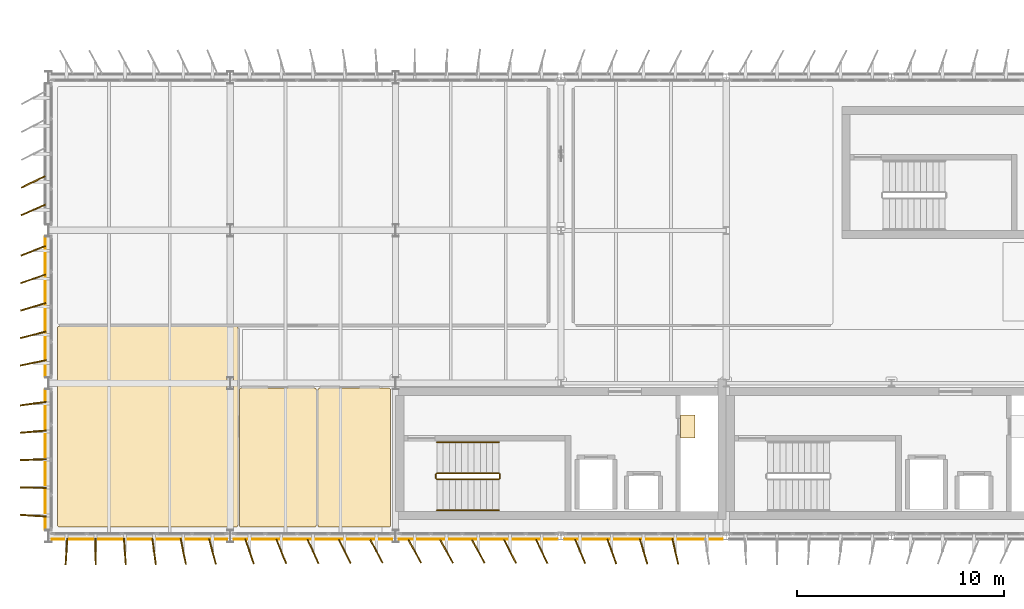
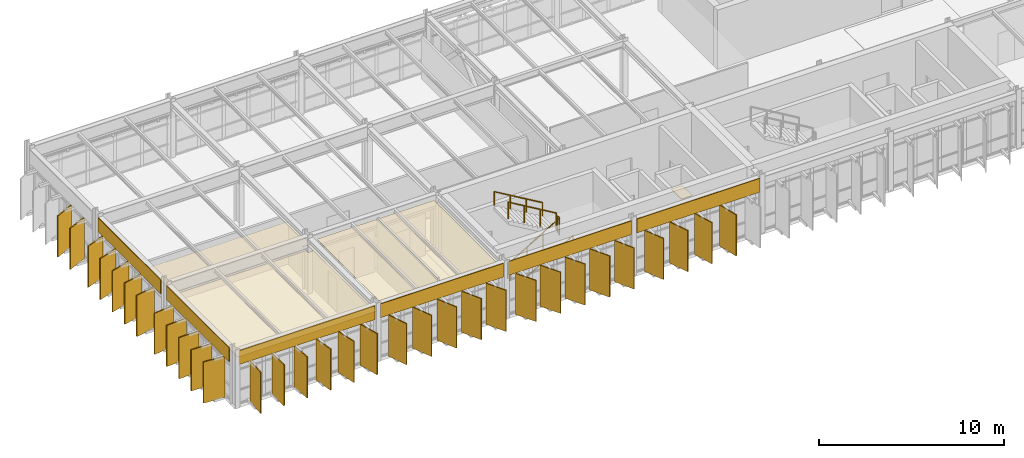
# One storey, part 38 of 45: 42 coverings, 6 railings.
"""IFC4 building model written with IfcOpenShell, lengths in metres."""

from ifc_helpers import new_model, si_unit, direction, frame, frame_2d, origin, origin_2d, place, context, subcontext, project, spatial, polyline, rectangle, circle, outline, extrude, material, layer, layer_set, type_object, element, save


model = new_model("IFC4")

# Units and contexts
model_context = context("Model", 3, precision=1e-05, world=origin(), true_north=direction((0.0, 1.0)))
body_context = subcontext(model_context, "Body", "Model", "MODEL_VIEW")
ifc_project = project(units=[si_unit("LENGTHUNIT", "METRE"), si_unit("AREAUNIT", "SQUARE_METRE"), si_unit("VOLUMEUNIT", "CUBIC_METRE"), si_unit("PLANEANGLEUNIT", "RADIAN"), si_unit("MASSUNIT", "GRAM", prefix="KILO")], contexts=[model_context])

# Site, building, storey
site_placement = place(None, origin())
site = spatial("IfcSite", under=ifc_project, at=site_placement, CompositionType="ELEMENT")
building_placement = place(site_placement, origin())
building = spatial("IfcBuilding", under=site, at=building_placement, Name="Valkorina Park Police Headquarters", CompositionType="ELEMENT")
storey_placement = place(building_placement, frame((0.0, 0.0, 23.300048828125)))
storey = spatial("IfcBuildingStorey", under=building, at=storey_placement, Name="L06", CompositionType="ELEMENT", Elevation=23.300048828125)

# Coverings
ifc_material_1 = material(Name="Acoustic mineral board")
ifc_layer_1 = layer(ifc_material_1, 0.02490234375)
ifc_layer_set_1 = layer_set([ifc_layer_1], Name="Acoustic mineral board")
covering_type_1 = type_object("IfcCoveringType", Name="COV-CEILING-ACOUST", PredefinedType="CEILING", material=ifc_layer_set_1)
covering_1_placement = place(storey_placement, frame((0.0, 0.0, 2.7548828125)))
element("IfcCovering", 1, at=covering_1_placement, inside=storey, type_object=covering_type_1, Name="Cold-Case Detective Analysis Room Acoustic Suspended Ceiling", PredefinedType="CEILING", context=body_context, shape_type="SweptSolid", body=[
    extrude(outline(polyline([(9.095703125, 47.158447265625), (9.087890625, 47.15966796875), (9.080078125, 47.159912109375), (0.52001953125, 47.159912109375), (0.51220703125, 47.15966796875), (0.50439453125, 47.158447265625), (0.496826171875, 47.156494140625), (0.489501953125, 47.15380859375), (0.482421875, 47.150634765625), (0.4755859375, 47.146484375), (0.46923828125, 47.141845703125), (0.46337890625, 47.13671875), (0.458251953125, 47.130859375), (0.45361328125, 47.12451171875), (0.449462890625, 47.11767578125), (0.446044921875, 47.110595703125), (0.443359375, 47.103271484375), (0.44140625, 47.095703125), (0.4404296875, 47.087890625), (0.43994140625, 47.080078125), (0.43994140625, 37.52001953125), (0.4404296875, 37.51220703125), (0.44140625, 37.50439453125), (0.443359375, 37.496826171875), (0.446044921875, 37.489501953125), (0.449462890625, 37.482421875), (0.45361328125, 37.4755859375), (0.458251953125, 37.46923828125), (0.46337890625, 37.46337890625), (0.46923828125, 37.458251953125), (0.4755859375, 37.45361328125), (0.482421875, 37.449462890625), (0.489501953125, 37.446044921875), (0.496826171875, 37.443359375), (0.50439453125, 37.44140625), (0.51220703125, 37.4404296875), (0.52001953125, 37.43994140625), (9.080078125, 37.43994140625), (9.087890625, 37.4404296875), (9.095703125, 37.44140625), (9.103271484375, 37.443359375), (9.110595703125, 37.446044921875), (9.11767578125, 37.449462890625), (9.12451171875, 37.45361328125), (9.130859375, 37.458251953125), (9.13671875, 37.46337890625), (9.141845703125, 37.46923828125), (9.146484375, 37.4755859375), (9.150634765625, 37.482421875), (9.15380859375, 37.489501953125), (9.156494140625, 37.496826171875), (9.158447265625, 37.50439453125), (9.15966796875, 37.51220703125), (9.159912109375, 37.52001953125), (9.159912109375, 47.080078125), (9.15966796875, 47.087890625), (9.158447265625, 47.095703125), (9.156494140625, 47.103271484375), (9.15380859375, 47.110595703125), (9.150634765625, 47.11767578125), (9.146484375, 47.12451171875), (9.141845703125, 47.130859375), (9.13671875, 47.13671875), (9.130859375, 47.141845703125), (9.12451171875, 47.146484375), (9.11767578125, 47.150634765625), (9.110595703125, 47.15380859375), (9.103271484375, 47.156494140625), (9.095703125, 47.158447265625)]), holes=[polyline([(8.64990234375, 44.699951171875), (8.949951171875, 44.699951171875), (8.949951171875, 44.10009765625), (8.64990234375, 44.10009765625), (8.64990234375, 44.699951171875)])]), origin(), (0.0, 0.0, 1.0), 0.025146484375),
])
covering_2_placement = place(storey_placement, frame((0.0, 0.0, 3.385009765625)))
element("IfcCovering", 2, at=covering_2_placement, inside=storey, type_object=covering_type_1, Name="L06 Male WC Acoustic Suspended Ceiling", PredefinedType="CEILING", context=body_context, shape_type="SweptSolid", body=[
    extrude(outline(polyline([(12.8955078125, 44.158447265625), (12.8876953125, 44.15966796875), (12.8798828125, 44.159912109375), (9.320068359375, 44.159912109375), (9.312255859375, 44.15966796875), (9.304443359375, 44.158447265625), (9.296875, 44.156494140625), (9.289306640625, 44.15380859375), (9.2822265625, 44.150634765625), (9.275634765625, 44.146484375), (9.269287109375, 44.141845703125), (9.263427734375, 44.13671875), (9.25830078125, 44.130859375), (9.25341796875, 44.12451171875), (9.24951171875, 44.11767578125), (9.24609375, 44.110595703125), (9.243408203125, 44.103271484375), (9.241455078125, 44.095703125), (9.240478515625, 44.087890625), (9.239990234375, 44.080078125), (9.239990234375, 37.52001953125), (9.240478515625, 37.51220703125), (9.241455078125, 37.50439453125), (9.243408203125, 37.496826171875), (9.24609375, 37.489501953125), (9.24951171875, 37.482421875), (9.25341796875, 37.4755859375), (9.25830078125, 37.46923828125), (9.263427734375, 37.46337890625), (9.269287109375, 37.458251953125), (9.275634765625, 37.45361328125), (9.2822265625, 37.449462890625), (9.289306640625, 37.446044921875), (9.296875, 37.443359375), (9.304443359375, 37.44140625), (9.312255859375, 37.4404296875), (9.320068359375, 37.43994140625), (12.8798828125, 37.43994140625), (12.8876953125, 37.4404296875), (12.8955078125, 37.44140625), (12.9033203125, 37.443359375), (12.91064453125, 37.446044921875), (12.917724609375, 37.449462890625), (12.92431640625, 37.45361328125), (12.930908203125, 37.458251953125), (12.9365234375, 37.46337890625), (12.94189453125, 37.46923828125), (12.946533203125, 37.4755859375), (12.95068359375, 37.482421875), (12.953857421875, 37.489501953125), (12.95654296875, 37.496826171875), (12.95849609375, 37.50439453125), (12.959716796875, 37.51220703125), (12.9599609375, 37.52001953125), (12.9599609375, 44.080078125), (12.959716796875, 44.087890625), (12.95849609375, 44.095703125), (12.95654296875, 44.103271484375), (12.953857421875, 44.110595703125), (12.95068359375, 44.11767578125), (12.946533203125, 44.12451171875), (12.94189453125, 44.130859375), (12.9365234375, 44.13671875), (12.930908203125, 44.141845703125), (12.92431640625, 44.146484375), (12.917724609375, 44.150634765625), (12.91064453125, 44.15380859375), (12.9033203125, 44.156494140625), (12.8955078125, 44.158447265625)])), origin(), (0.0, 0.0, 1.0), 0.02490234375),
])
covering_3_placement = place(storey_placement, frame((0.0, 0.0, 3.385009765625)))
element("IfcCovering", 3, at=covering_3_placement, inside=storey, type_object=covering_type_1, Name="L06 Female WC Acoustic Suspended Ceiling", PredefinedType="CEILING", context=body_context, shape_type="SweptSolid", body=[
    extrude(outline(polyline([(16.49560546875, 44.158447265625), (16.48779296875, 44.15966796875), (16.47998046875, 44.159912109375), (13.1201171875, 44.159912109375), (13.1123046875, 44.15966796875), (13.1044921875, 44.158447265625), (13.0966796875, 44.156494140625), (13.08935546875, 44.15380859375), (13.082275390625, 44.150634765625), (13.07568359375, 44.146484375), (13.069091796875, 44.141845703125), (13.0634765625, 44.13671875), (13.05810546875, 44.130859375), (13.053466796875, 44.12451171875), (13.04931640625, 44.11767578125), (13.046142578125, 44.110595703125), (13.04345703125, 44.103271484375), (13.04150390625, 44.095703125), (13.040283203125, 44.087890625), (13.0400390625, 44.080078125), (13.0400390625, 37.52001953125), (13.040283203125, 37.51220703125), (13.04150390625, 37.50439453125), (13.04345703125, 37.496826171875), (13.046142578125, 37.489501953125), (13.04931640625, 37.482421875), (13.053466796875, 37.4755859375), (13.05810546875, 37.46923828125), (13.0634765625, 37.46337890625), (13.069091796875, 37.458251953125), (13.07568359375, 37.45361328125), (13.082275390625, 37.449462890625), (13.08935546875, 37.446044921875), (13.0966796875, 37.443359375), (13.1044921875, 37.44140625), (13.1123046875, 37.4404296875), (13.1201171875, 37.43994140625), (16.47998046875, 37.43994140625), (16.48779296875, 37.4404296875), (16.49560546875, 37.44140625), (16.503173828125, 37.443359375), (16.510498046875, 37.446044921875), (16.517578125, 37.449462890625), (16.5244140625, 37.45361328125), (16.53076171875, 37.458251953125), (16.53662109375, 37.46337890625), (16.541748046875, 37.46923828125), (16.54638671875, 37.4755859375), (16.550537109375, 37.482421875), (16.553955078125, 37.489501953125), (16.556640625, 37.496826171875), (16.55859375, 37.50439453125), (16.5595703125, 37.51220703125), (16.56005859375, 37.52001953125), (16.56005859375, 44.080078125), (16.5595703125, 44.087890625), (16.55859375, 44.095703125), (16.556640625, 44.103271484375), (16.553955078125, 44.110595703125), (16.550537109375, 44.11767578125), (16.54638671875, 44.12451171875), (16.541748046875, 44.130859375), (16.53662109375, 44.13671875), (16.53076171875, 44.141845703125), (16.5244140625, 44.146484375), (16.517578125, 44.150634765625), (16.510498046875, 44.15380859375), (16.503173828125, 44.156494140625), (16.49560546875, 44.158447265625)])), origin(), (0.0, 0.0, 1.0), 0.02490234375),
])
ifc_material_2 = material(Name="Precast concrete C40/50", Category="concrete")
ifc_layer_2 = layer(ifc_material_2, 0.044921875)
ifc_layer_set_2 = layer_set([ifc_layer_2], Name="Precast concrete C40/50")
covering_type_2 = type_object("IfcCoveringType", Name="COV-CLAD-DOLOMITE", PredefinedType="CLADDING", material=ifc_layer_set_2)
for number, where, z_axis, x_axis, name in (
    (4, (-0.159912109375, 37.31005859375, 2.77001953125), (0.0, 0.0, 1.0), (0.0, 1.0, 0.0), "L06 Spandrel Beam Insulated Fascia 2474"),
    (5, (-0.159912109375, 44.7099609375, 2.77001953125), (0.0, 0.0, 1.0), (0.0, 1.0, 0.0), "L06 Spandrel Beam Insulated Fascia 2475"),
):
    element("IfcCovering", number, at=place(storey_placement, frame(where, z_axis=z_axis, x_axis=x_axis)), inside=storey, type_object=covering_type_2, Name=name, PredefinedType="CLADDING", context=body_context, shape_type="SweptSolid", body=[
        extrude(rectangle(XDim=6.780029296875, YDim=0.044921875, at=frame_2d((3.39013671875, 0.0))), origin(), (0.0, 0.0, 1.0), 0.909912109375),
    ])
for number, where, z_axis, x_axis, name in (
    (6, (32.639892578125, 36.840087890625, 2.77001953125), (0.0, 0.0, 1.0), (-1.0, 0.0, 0.0), "L06 Spandrel Beam Insulated Fascia 2548"),
    (7, (24.639892578125, 36.840087890625, 2.77001953125), (0.0, 0.0, 1.0), (-1.0, 0.0, 0.0), "L06 Spandrel Beam Insulated Fascia 2549"),
    (8, (16.639892578125, 36.840087890625, 2.77001953125), (0.0, 0.0, 1.0), (-1.0, 0.0, 0.0), "L06 Spandrel Beam Insulated Fascia 2550"),
):
    element("IfcCovering", number, at=place(storey_placement, frame(where, z_axis=z_axis, x_axis=x_axis)), inside=storey, type_object=covering_type_2, Name=name, PredefinedType="CLADDING", context=body_context, shape_type="SweptSolid", body=[
        extrude(rectangle(XDim=7.679931640625, YDim=0.044921875, at=frame_2d((3.83984375, 0.0))), origin(), (0.0, 0.0, 1.0), 0.909912109375),
    ])
covering_4_placement = place(storey_placement, frame((8.639892578125, 36.840087890625, 2.77001953125), z_axis=(0.0, 0.0, 1.0), x_axis=(-1.0, 0.0, 0.0)))
element("IfcCovering", 9, at=covering_4_placement, inside=storey, type_object=covering_type_2, Name="L06 Spandrel Beam Insulated Fascia 2551", PredefinedType="CLADDING", context=body_context, shape_type="SweptSolid", body=[
    extrude(rectangle(XDim=8.47998046875, YDim=0.044921875, at=frame_2d((4.239990234375, 0.0))), origin(), (0.0, 0.0, 1.0), 0.909912109375),
])
ifc_material_3 = material(Name="Resin terrazzo flooring")
ifc_layer_3 = layer(ifc_material_3, 0.030029296875)
ifc_layer_set_3 = layer_set([ifc_layer_3], Name="Resin terrazzo flooring")
covering_type_3 = type_object("IfcCoveringType", Name="COV-FLOOR-TERRAZZO", PredefinedType="FLOORING", material=ifc_layer_set_3)
covering_5_placement = place(storey_placement, origin())
element("IfcCovering", 10, at=covering_5_placement, inside=storey, type_object=covering_type_3, Name="Core C1 L06 Riser Inspection Threshold Grate", PredefinedType="FLOORING", context=body_context, shape_type="SweptSolid", body=[
    extrude(outline(polyline([(31.280029296875, 41.75), (31.280029296875, 42.85009765625), (30.580078125, 42.85009765625), (30.580078125, 41.75), (31.280029296875, 41.75)])), origin(), (0.0, 0.0, 1.0), 0.030029296875),
])

# Railings
ifc_material_4 = material(Name="Stainless steel EN 1.4404", Category="steel")
railing_type_1 = type_object("IfcRailingType", Name="RL-GUARD-INT-1100", PredefinedType="BALUSTRADE", material=ifc_material_4)
railing_1_placement = place(storey_placement, frame((18.800048828125, 39.75, 0.17724609375)))
element("IfcRailing", 11, at=railing_1_placement, inside=storey, type_object=railing_type_1, Name="L06 Core C1 Stair Guard 1", PredefinedType="BALUSTRADE", context=body_context, shape_type="SweptSolid", body=[
    extrude(circle(Radius=0.02392578125, at=origin_2d()), frame((0.0, 0.0, 1.09619140625), z_axis=(0.86092931783, 0.0, 0.508724591208), x_axis=(0.0, 1.0, 0.0)), (0.0, 0.0, 1.0), 3.484619140625),
    extrude(circle(Radius=0.02099609375, at=origin_2d()), origin(), (0.0, 0.0, 1.0), 1.072021484375),
    extrude(circle(Radius=0.02099609375, at=origin_2d()), frame((1.0, 0.0, 0.5908203125)), (0.0, 0.0, 1.0), 1.072021484375),
    extrude(circle(Radius=0.02099609375, at=origin_2d()), frame((2.0, 0.0, 1.181884765625)), (0.0, 0.0, 1.0), 1.072021484375),
    extrude(circle(Radius=0.02099609375, at=origin_2d()), frame((3.0, 0.0, 1.772705078125)), (0.0, 0.0, 1.0), 1.072021484375),
])
railing_2_placement = place(storey_placement, frame((21.85009765625, 39.800048828125, 1.949951171875)))
element("IfcRailing", 12, at=railing_2_placement, inside=storey, type_object=railing_type_1, Name="L06 Core C1 Stair Guard 2", PredefinedType="BALUSTRADE", context=body_context, shape_type="SweptSolid", body=[
    extrude(circle(Radius=0.02392578125, at=origin_2d()), frame((0.0, 0.0, 1.09619140625), z_axis=(0.0, 1.0, 0.0), x_axis=(-1.0, 0.0, 0.0)), (0.0, 0.0, 1.0), 0.199951171875),
    extrude(circle(Radius=0.02099609375, at=origin_2d()), origin(), (0.0, 0.0, 1.0), 1.072021484375),
    extrude(circle(Radius=0.02099609375, at=origin_2d()), frame((0.0, 0.199951171875, 0.0)), (0.0, 0.0, 1.0), 1.072021484375),
])
railing_3_placement = place(storey_placement, frame((21.800048828125, 40.050048828125, 2.127197265625)))
element("IfcRailing", 13, at=railing_3_placement, inside=storey, type_object=railing_type_1, Name="L06 Core C1 Stair Guard 3", PredefinedType="BALUSTRADE", context=body_context, shape_type="SweptSolid", body=[
    extrude(circle(Radius=0.02392578125, at=origin_2d()), frame((0.0, 0.0, 1.09619140625), z_axis=(-0.86092931783, 0.0, 0.508724591208), x_axis=(0.0, -1.0, 0.0)), (0.0, 0.0, 1.0), 3.484619140625),
    extrude(circle(Radius=0.02099609375, at=origin_2d()), origin(), (0.0, 0.0, 1.0), 1.072021484375),
    extrude(circle(Radius=0.02099609375, at=origin_2d()), frame((-1.0, 0.0, 0.5908203125)), (0.0, 0.0, 1.0), 1.072021484375),
    extrude(circle(Radius=0.02099609375, at=origin_2d()), frame((-2.0, 0.0, 1.181884765625)), (0.0, 0.0, 1.0), 1.072021484375),
    extrude(circle(Radius=0.02099609375, at=origin_2d()), frame((-3.0, 0.0, 1.772705078125)), (0.0, 0.0, 1.0), 1.072021484375),
])
railing_4_placement = place(storey_placement, frame((18.75, 39.800048828125, 0.0)))
element("IfcRailing", 14, at=railing_4_placement, inside=storey, type_object=railing_type_1, Name="L06 Core C1 Stair Guard 4", PredefinedType="BALUSTRADE", context=body_context, shape_type="SweptSolid", body=[
    extrude(circle(Radius=0.02392578125, at=origin_2d()), frame((0.0, 0.0, 1.09619140625), z_axis=(0.0, 1.0, 0.0), x_axis=(-1.0, 0.0, 0.0)), (0.0, 0.0, 1.0), 0.199951171875),
    extrude(circle(Radius=0.02099609375, at=origin_2d()), origin(), (0.0, 0.0, 1.0), 1.072021484375),
    extrude(circle(Radius=0.02099609375, at=origin_2d()), frame((0.0, 0.199951171875, 0.0)), (0.0, 0.0, 1.0), 1.072021484375),
])
railing_type_2 = type_object("IfcRailingType", Name="RL-HANDRAIL-900", PredefinedType="HANDRAIL", material=ifc_material_4)
railing_5_placement = place(storey_placement, frame((18.800048828125, 38.25, 0.17724609375)))
element("IfcRailing", 15, at=railing_5_placement, inside=storey, type_object=railing_type_2, Name="L06 Core C1 Stair Handrail 1", PredefinedType="HANDRAIL", context=body_context, shape_type="SweptSolid", body=[
    extrude(circle(Radius=0.02392578125, at=origin_2d()), frame((0.0, 0.0, 0.8759765625), z_axis=(0.86092931783, 0.0, 0.508724591208), x_axis=(0.0, 1.0, 0.0)), (0.0, 0.0, 1.0), 3.484619140625),
    extrude(circle(Radius=0.02099609375, at=origin_2d()), origin(), (0.0, 0.0, 1.0), 0.851806640625),
    extrude(circle(Radius=0.02099609375, at=origin_2d()), frame((1.0, 0.0, 0.5908203125)), (0.0, 0.0, 1.0), 0.851806640625),
    extrude(circle(Radius=0.02099609375, at=origin_2d()), frame((2.0, 0.0, 1.181884765625)), (0.0, 0.0, 1.0), 0.851806640625),
    extrude(circle(Radius=0.02099609375, at=origin_2d()), frame((3.0, 0.0, 1.772705078125)), (0.0, 0.0, 1.0), 0.851806640625),
])
railing_6_placement = place(storey_placement, frame((21.800048828125, 41.550048828125, 2.127197265625)))
element("IfcRailing", 16, at=railing_6_placement, inside=storey, type_object=railing_type_2, Name="L06 Core C1 Stair Handrail 2", PredefinedType="HANDRAIL", context=body_context, shape_type="SweptSolid", body=[
    extrude(circle(Radius=0.02392578125, at=origin_2d()), frame((0.0, 0.0, 0.8759765625), z_axis=(-0.86092931783, 0.0, 0.508724591208), x_axis=(0.0, -1.0, 0.0)), (0.0, 0.0, 1.0), 3.484619140625),
    extrude(circle(Radius=0.02099609375, at=origin_2d()), origin(), (0.0, 0.0, 1.0), 0.851806640625),
    extrude(circle(Radius=0.02099609375, at=origin_2d()), frame((-1.0, 0.0, 0.5908203125)), (0.0, 0.0, 1.0), 0.851806640625),
    extrude(circle(Radius=0.02099609375, at=origin_2d()), frame((-2.0, 0.0, 1.181884765625)), (0.0, 0.0, 1.0), 0.851806640625),
    extrude(circle(Radius=0.02099609375, at=origin_2d()), frame((-3.0, 0.0, 1.772705078125)), (0.0, 0.0, 1.0), 0.851806640625),
])

# Coverings
ifc_material_5 = material(Name="Polychrome anodized aluminium - Baltic Amber", Category="aluminium")
ifc_layer_4 = layer(ifc_material_5, 0.06494140625)
ifc_layer_set_4 = layer_set([ifc_layer_4], Name="Polychrome anodized aluminium - Baltic Amber")
covering_type_4 = type_object("IfcCoveringType", Name="SHD-LOUVRE-AMBER", PredefinedType="CLADDING", material=ifc_layer_set_4)
for number, where, z_axis, x_axis, name in (
    (17, (-0.739990234375, 42.055908203125, 0.0400390625), (0.0, 0.0, 1.0), (-0.996285421131, -0.086112482501, 0.0), "V5 Polychrome Pivoting Louvre 0313"),
    (18, (-0.739990234375, 48.10009765625, 0.0400390625), (0.0, 0.0, 1.0), (-0.956559534241, -0.29153706017, 0.0), "V5 Polychrome Pivoting Louvre 0317"),
    (19, (-0.739990234375, 54.14404296875, 0.0400390625), (0.0, 0.0, 1.0), (-0.902284510975, -0.431141115244, 0.0), "V5 Polychrome Pivoting Louvre 0321"),
    (20, (27.263916015625, 36.260009765625, 0.0400390625), (0.0, 0.0, 1.0), (0.341528074559, -0.939871573295, 0.0), "V5 Polychrome Pivoting Louvre 0444"),
    (21, (20.800048828125, 36.260009765625, 0.0400390625), (0.0, 0.0, 1.0), (0.476238203668, -0.879316310191, 0.0), "V5 Polychrome Pivoting Louvre 0448"),
    (22, (14.3359375, 36.260009765625, 0.0400390625), (0.0, 0.0, 1.0), (0.446354001825, -0.894856471762, 0.0), "V5 Polychrome Pivoting Louvre 0452"),
    (23, (7.933349609375, 36.260009765625, 0.0400390625), (0.0, 0.0, 1.0), (0.259661875744, -0.965699596295, 0.0), "V5 Polychrome Pivoting Louvre 0456"),
    (24, (2.280029296875, 36.260009765625, 0.0400390625), (0.0, 0.0, 1.0), (0.004188777955, -0.999991227031, 0.0), "V5 Polychrome Pivoting Louvre 0460"),
):
    element("IfcCovering", number, at=place(storey_placement, frame(where, z_axis=z_axis, x_axis=x_axis)), inside=storey, type_object=covering_type_4, Name=name, PredefinedType="CLADDING", context=body_context, shape_type="SweptSolid", body=[
        extrude(rectangle(XDim=1.280029296875, YDim=0.06494140625, at=origin_2d()), origin(), (0.0, 0.0, 1.0), 2.7099609375),
    ])
ifc_material_6 = material(Name="Polychrome anodized aluminium - Riga Ochre", Category="aluminium")
ifc_layer_5 = layer(ifc_material_6, 0.06494140625)
ifc_layer_set_5 = layer_set([ifc_layer_5], Name="Polychrome anodized aluminium - Riga Ochre")
covering_type_5 = type_object("IfcCoveringType", Name="SHD-LOUVRE-OCHRE", PredefinedType="CLADDING", material=ifc_layer_set_5)
for number, where, z_axis, x_axis, name in (
    (25, (-0.739990234375, 39.343994140625, 0.0400390625), (0.0, 0.0, 1.0), (-0.999865423043, 0.016405359001, 0.0), "V5 Polychrome Pivoting Louvre 0311"),
    (26, (-0.739990234375, 45.387939453125, 0.0400390625), (0.0, 0.0, 1.0), (-0.978688559589, -0.205350196811, 0.0), "V5 Polychrome Pivoting Louvre 0315"),
    (27, (-0.739990234375, 50.81201171875, 0.0400390625), (0.0, 0.0, 1.0), (-0.931310320999, -0.364226695892, 0.0), "V5 Polychrome Pivoting Louvre 0319"),
    (28, (30.3359375, 36.260009765625, 0.0400390625), (0.0, 0.0, 1.0), (0.226311311886, -0.974055024171, 0.0), "V5 Polychrome Pivoting Louvre 0442"),
    (29, (23.8720703125, 36.260009765625, 0.0400390625), (0.0, 0.0, 1.0), (0.432085748802, -0.901832526405, 0.0), "V5 Polychrome Pivoting Louvre 0446"),
    (30, (17.72802734375, 36.260009765625, 0.0400390625), (0.0, 0.0, 1.0), (0.482823924874, -0.875717453046, 0.0), "V5 Polychrome Pivoting Louvre 0450"),
    (31, (11.263916015625, 36.260009765625, 0.0400390625), (0.0, 0.0, 1.0), (0.37476841182, -0.927118459261, 0.0), "V5 Polychrome Pivoting Louvre 0454"),
    (32, (5.106689453125, 36.260009765625, 0.0400390625), (0.0, 0.0, 1.0), (0.137963156715, -0.990437361669, 0.0), "V5 Polychrome Pivoting Louvre 0458"),
):
    element("IfcCovering", number, at=place(storey_placement, frame(where, z_axis=z_axis, x_axis=x_axis)), inside=storey, type_object=covering_type_5, Name=name, PredefinedType="CLADDING", context=body_context, shape_type="SweptSolid", body=[
        extrude(rectangle(XDim=1.280029296875, YDim=0.06494140625, at=origin_2d()), origin(), (0.0, 0.0, 1.0), 2.7099609375),
    ])
ifc_material_7 = material(Name="Polychrome anodized aluminium - Courland Slate Blue", Category="masonry")
ifc_layer_6 = layer(ifc_material_7, 0.06494140625)
ifc_layer_set_6 = layer_set([ifc_layer_6], Name="Polychrome anodized aluminium - Courland Slate Blue")
covering_type_6 = type_object("IfcCoveringType", Name="SHD-LOUVRE-SLATE", PredefinedType="CLADDING", material=ifc_layer_set_6)
for number, where, z_axis, x_axis, name in (
    (33, (-0.739990234375, 40.699951171875, 0.0400390625), (0.0, 0.0, 1.0), (-0.999384720686, -0.035073922775, 0.0), "V5 Polychrome Pivoting Louvre 0312"),
    (34, (-0.739990234375, 46.743896484375, 0.0400390625), (0.0, 0.0, 1.0), (-0.968234980502, -0.250042041528, 0.0), "V5 Polychrome Pivoting Louvre 0316"),
    (35, (-0.739990234375, 52.7880859375, 0.0400390625), (0.0, 0.0, 1.0), (-0.913403424117, -0.407055505812, 0.0), "V5 Polychrome Pivoting Louvre 0320"),
    (36, (28.800048828125, 36.260009765625, 0.0400390625), (0.0, 0.0, 1.0), (0.28736051985, -0.957822494845, 0.0), "V5 Polychrome Pivoting Louvre 0443"),
    (37, (22.3359375, 36.260009765625, 0.0400390625), (0.0, 0.0, 1.0), (0.458804640463, -0.888537169673, 0.0), "V5 Polychrome Pivoting Louvre 0447"),
    (38, (15.8720703125, 36.260009765625, 0.0400390625), (0.0, 0.0, 1.0), (0.468546684981, -0.88343873811, 0.0), "V5 Polychrome Pivoting Louvre 0451"),
    (39, (9.72802734375, 36.260009765625, 0.0400390625), (0.0, 0.0, 1.0), (0.326063182175, -0.94534797891, 0.0), "V5 Polychrome Pivoting Louvre 0455"),
    (40, (3.693359375, 36.260009765625, 0.0400390625), (0.0, 0.0, 1.0), (0.071845612485, -0.997415764848, 0.0), "V5 Polychrome Pivoting Louvre 0459"),
):
    element("IfcCovering", number, at=place(storey_placement, frame(where, z_axis=z_axis, x_axis=x_axis)), inside=storey, type_object=covering_type_6, Name=name, PredefinedType="CLADDING", context=body_context, shape_type="SweptSolid", body=[
        extrude(rectangle(XDim=1.280029296875, YDim=0.06494140625, at=origin_2d()), origin(), (0.0, 0.0, 1.0), 2.7099609375),
    ])
ifc_material_8 = material(Name="Polychrome anodized aluminium - Pine Verdigris", Category="aluminium")
ifc_layer_7 = layer(ifc_material_8, 0.06494140625)
ifc_layer_set_7 = layer_set([ifc_layer_7], Name="Polychrome anodized aluminium - Pine Verdigris")
covering_type_7 = type_object("IfcCoveringType", Name="SHD-LOUVRE-VERDIGRIS", PredefinedType="CLADDING", material=ifc_layer_set_7)
for number, where, z_axis, x_axis, name in (
    (41, (-0.739990234375, 37.988037109375, 0.0400390625), (0.0, 0.0, 1.0), (-0.997707959868, 0.067667029017, 0.0), "V5 Polychrome Pivoting Louvre 0310"),
    (42, (-0.739990234375, 43.412109375, 0.0400390625), (0.0, 0.0, 1.0), (-0.990724138546, -0.135888488485, 0.0), "V5 Polychrome Pivoting Louvre 0314"),
    (43, (-0.739990234375, 49.4560546875, 0.0400390625), (0.0, 0.0, 1.0), (-0.944089020393, -0.329690645263, 0.0), "V5 Polychrome Pivoting Louvre 0318"),
    (44, (25.72802734375, 36.260009765625, 0.0400390625), (0.0, 0.0, 1.0), (0.387837353782, -0.92172782697, 0.0), "V5 Polychrome Pivoting Louvre 0445"),
    (45, (19.263916015625, 36.260009765625, 0.0400390625), (0.0, 0.0, 1.0), (0.484198902407, -0.874957954937, 0.0), "V5 Polychrome Pivoting Louvre 0449"),
    (46, (12.800048828125, 36.260009765625, 0.0400390625), (0.0, 0.0, 1.0), (0.41501085379, -0.909816460192, 0.0), "V5 Polychrome Pivoting Louvre 0453"),
    (47, (6.52001953125, 36.260009765625, 0.0400390625), (0.0, 0.0, 1.0), (0.20090694995, -0.979610329397, 0.0), "V5 Polychrome Pivoting Louvre 0457"),
    (48, (0.86669921875, 36.260009765625, 0.0400390625), (0.0, 0.0, 1.0), (-0.063487258268, -0.997982649167, 0.0), "V5 Polychrome Pivoting Louvre 0461"),
):
    element("IfcCovering", number, at=place(storey_placement, frame(where, z_axis=z_axis, x_axis=x_axis)), inside=storey, type_object=covering_type_7, Name=name, PredefinedType="CLADDING", context=body_context, shape_type="SweptSolid", body=[
        extrude(rectangle(XDim=1.280029296875, YDim=0.06494140625, at=origin_2d()), origin(), (0.0, 0.0, 1.0), 2.7099609375),
    ])

save(model, "model.ifc")
